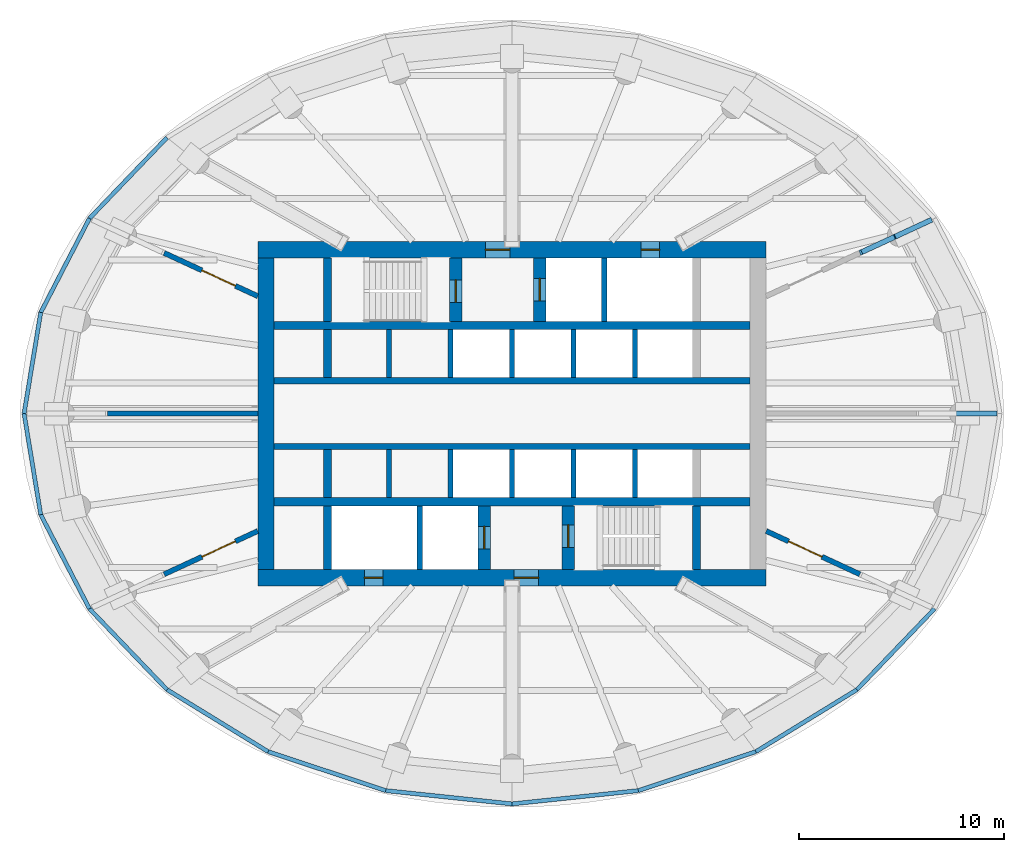
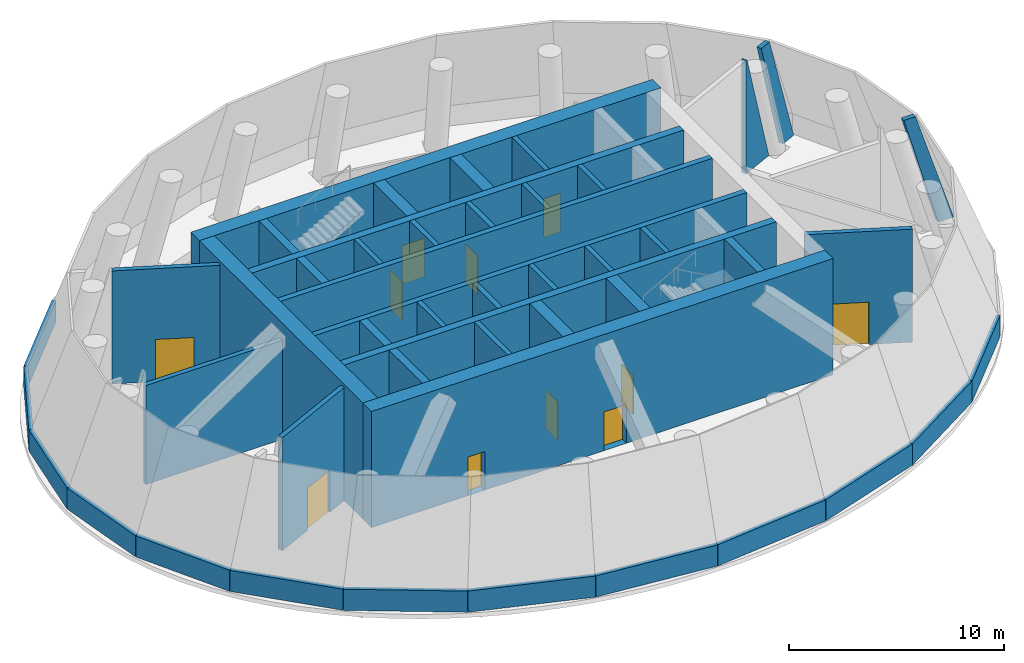
# One storey, part 4 of 6: 45 walls, 11 doors, 3 plates, 11 openings.
"""IFC4 building model written with IfcOpenShell, lengths in metres."""

from ifc_helpers import new_model, si_unit, direction, frame, frame_2d, origin, place, context, subcontext, project, spatial, polyline, rectangle, outline, extrude, material, layer, layer_set, type_object, element, fill, save


model = new_model("IFC4")

# Units and contexts
model_context = context("Model", 3, precision=1e-05, world=origin(), true_north=direction((0.0, 1.0)))
body_context = subcontext(model_context, "Body", "Model", "MODEL_VIEW")
ifc_project = project(units=[si_unit("LENGTHUNIT", "METRE"), si_unit("AREAUNIT", "SQUARE_METRE"), si_unit("VOLUMEUNIT", "CUBIC_METRE"), si_unit("PLANEANGLEUNIT", "RADIAN"), si_unit("MASSUNIT", "GRAM", prefix="KILO")], contexts=[model_context])

# Site, building, storey
site_placement = place(None, origin())
site = spatial("IfcSite", under=ifc_project, at=site_placement, CompositionType="ELEMENT")
building_placement = place(site_placement, origin())
building = spatial("IfcBuilding", under=site, at=building_placement, Name="Hankou Lantern Tower", CompositionType="ELEMENT")
storey_placement = place(building_placement, frame((0.0, 0.0, 186.300048828125)))
storey = spatial("IfcBuildingStorey", under=building, at=storey_placement, Name="L50", CompositionType="ELEMENT", Elevation=186.300048828125)

# Plates
ifc_material_1 = material(Name="Fire-rated calcium silicate board on steel studs", Category="steel")
ifc_layer_1 = layer(ifc_material_1, 0.25)
ifc_layer_set_1 = layer_set([ifc_layer_1], Name="Fire-rated calcium silicate board on steel studs")
plate_type = type_object("IfcPlateType", Name="FC1 FIRE CLOSURE PANEL", PredefinedType="USERDEFINED", material=ifc_layer_set_1)
plate_1_placement = place(storey_placement, frame((17.02099609375, 7.723876953125, 0.0), z_axis=(0.419358735179, -0.907820605185, 5.464504e-06), x_axis=(0.907820605199, 0.419358735185, -1.03e-10)))
element("IfcPlate", 1, at=plate_1_placement, inside=storey, type_object=plate_type, Name="Fire closure panel R03 inner L50", ObjectType="FIRE CLOSURE", PredefinedType="USERDEFINED", context=body_context, shape_type="SweptSolid", body=[
    extrude(outline(polyline([(0.0, 0.0), (1.857217642760021, 8.470329472543003e-22), (0.10005834103310021, 6.419921875106181), (-6.626714052594562e-10, 6.419921874904149), (0.0, 0.0)])), origin(), (0.0, 0.0, -1.0), 0.25),
])
plate_2_placement = place(storey_placement, frame((19.7421875, 8.98095703125, 0.0), z_axis=(0.419159396267, -0.907912660308, -4.2114252e-05), x_axis=(0.907912661113, 0.419159396639, 2.205e-09)))
element("IfcPlate", 2, at=plate_2_placement, inside=storey, type_object=plate_type, Name="Fire closure panel R03 outer L50", ObjectType="FIRE CLOSURE", PredefinedType="USERDEFINED", context=body_context, shape_type="SweptSolid", body=[
    extrude(outline(polyline([(0.0, 0.0), (0.8650407067405591, 0.0), (-1.092678533110866, 6.4199218831021), (-1.7571592599602899, 6.419921886474032), (0.0, 0.0)])), origin(), (0.0, 0.0, -1.0), 0.25),
])
plate_3_placement = place(storey_placement, frame((22.822265625, 0.125, 0.0), z_axis=(0.0, 1.0, 0.0), x_axis=(1.0, 0.0, 0.0)))
element("IfcPlate", 3, at=plate_3_placement, inside=storey, type_object=plate_type, Name="Fire closure panel R01 outer L50", ObjectType="FIRE CLOSURE", PredefinedType="USERDEFINED", context=body_context, shape_type="SweptSolid", body=[
    extrude(outline(polyline([(0.0, 0.0), (0.82763671875, 0.0), (-1.22216796875, -6.419921875), (-1.84814453125, -6.419921875), (0.0, 0.0)])), origin(), (0.0, 0.0, -1.0), 0.25),
])

# Wall, openings, doors
ifc_material_2 = material(Name="Concrete C60", Category="concrete")
ifc_layer_2 = layer(ifc_material_2, 0.800048828125)
ifc_layer_set_2 = layer_set([ifc_layer_2], Name="Concrete C60")
wall_type_1 = type_object("IfcWallType", Name="CW2 CORE WALL 800", PredefinedType="SHEAR", material=ifc_layer_set_2)
wall_1_placement = place(storey_placement, frame((-12.39990234375, 8.0, 0.0), z_axis=(0.0, 0.0, 1.0), x_axis=(1.0, 0.0, 0.0)))
wall_1 = element("IfcWall", 4, at=wall_1_placement, inside=storey, type_object=wall_type_1, Name="Core wall north L50", PredefinedType="SHEAR", context=body_context, shape_type="SweptSolid", body=[
    extrude(rectangle(XDim=24.7998046875, YDim=0.800048828125, at=frame_2d((12.39990234375, 0.0))), origin(), (0.0, 0.0, 1.0), 6.599853515625),
])
opening_1_placement = place(wall_1_placement, frame((11.10009765625, 0.0, 0.0)))
opening_1 = element("IfcOpeningElement", 5, at=opening_1_placement, cuts=wall_1, Name="Opening D5", PredefinedType="OPENING", context=body_context, shape_type="SweptSolid", body=[
    extrude(rectangle(XDim=1.199951171875, YDim=2.199951171875, at=frame_2d((0.60009765625, 1.10009765625))), frame((0.0, 0.409912109375, 0.0), z_axis=(0.0, -1.0, 0.0), x_axis=(1.0, 0.0, 0.0)), (0.0, 0.0, 1.0), 0.820068359375),
])
opening_2_placement = place(wall_1_placement, frame((18.699951171875, 0.0, 0.0)))
opening_2 = element("IfcOpeningElement", 6, at=opening_2_placement, cuts=wall_1, Name="Opening D7", PredefinedType="OPENING", context=body_context, shape_type="SweptSolid", body=[
    extrude(rectangle(XDim=0.89990234375, YDim=2.199951171875, at=frame_2d((0.449951171875, 1.10009765625))), frame((0.0, 0.409912109375, 0.0), z_axis=(0.0, -1.0, 0.0), x_axis=(1.0, 0.0, 0.0)), (0.0, 0.0, 1.0), 0.820068359375),
])
ifc_material_3 = material(Name="Steel door leaf", Category="steel")
door_type_1 = type_object("IfcDoorType", Name="D5 STAIR LOBBY DOOR 1200X2200", OperationType="SINGLE_SWING_LEFT", PredefinedType="DOOR", material=ifc_material_3)
door_1_placement = place(opening_1_placement, origin())
door_1 = element("IfcDoor", 7, at=door_1_placement, inside=storey, type_object=door_type_1, Name="Stair A lobby door", OperationType="SINGLE_SWING_LEFT", OverallHeight=2.199951171875, OverallWidth=1.199951171875, PredefinedType="DOOR", context=body_context, shape_type="SweptSolid", body=[
    extrude(rectangle(XDim=1.199951171875, YDim=2.199951171875, at=frame_2d((0.60009765625, 1.10009765625))), frame((0.0, 0.02490234375, 0.0), z_axis=(0.0, -1.0, 0.0), x_axis=(1.0, 0.0, 0.0)), (0.0, 0.0, 1.0), 0.050048828125),
])
fill(opening_1, door_1)
ifc_material_4 = material(Name="Steel door leaf", Category="steel")
door_type_2 = type_object("IfcDoorType", Name="D7 RISER DOOR 900X2200", OperationType="SINGLE_SWING_LEFT", PredefinedType="DOOR", material=ifc_material_4)
door_2_placement = place(opening_2_placement, origin())
door_2 = element("IfcDoor", 8, at=door_2_placement, inside=storey, type_object=door_type_2, Name="Riser N1 door", OperationType="SINGLE_SWING_RIGHT", OverallHeight=2.199951171875, OverallWidth=0.89990234375, PredefinedType="DOOR", context=body_context, shape_type="SweptSolid", body=[
    extrude(rectangle(XDim=0.89990234375, YDim=2.199951171875, at=frame_2d((0.449951171875, 1.10009765625))), frame((0.0, 0.02490234375, 0.0), z_axis=(0.0, -1.0, 0.0), x_axis=(1.0, 0.0, 0.0)), (0.0, 0.0, 1.0), 0.050048828125),
])
fill(opening_2, door_2)

wall_2_placement = place(storey_placement, frame((12.39990234375, -8.0, 0.0), z_axis=(0.0, 0.0, 1.0), x_axis=(-1.0, 0.0, 0.0)))
wall_2 = element("IfcWall", 9, at=wall_2_placement, inside=storey, type_object=wall_type_1, Name="Core wall south L50", PredefinedType="SHEAR", context=body_context, shape_type="SweptSolid", body=[
    extrude(rectangle(XDim=24.7998046875, YDim=0.800048828125, at=frame_2d((12.39990234375, 0.0))), origin(), (0.0, 0.0, 1.0), 6.599853515625),
])
opening_3_placement = place(wall_2_placement, frame((11.10009765625, 0.0, 0.0)))
opening_3 = element("IfcOpeningElement", 10, at=opening_3_placement, cuts=wall_2, Name="Opening D5", PredefinedType="OPENING", context=body_context, shape_type="SweptSolid", body=[
    extrude(rectangle(XDim=1.199951171875, YDim=2.199951171875, at=frame_2d((0.60009765625, 1.10009765625))), frame((0.0, 0.409912109375, 0.0), z_axis=(0.0, -1.0, 0.0), x_axis=(1.0, 0.0, 0.0)), (0.0, 0.0, 1.0), 0.820068359375),
])
opening_4_placement = place(wall_2_placement, frame((18.699951171875, 0.0, 0.0)))
opening_4 = element("IfcOpeningElement", 11, at=opening_4_placement, cuts=wall_2, Name="Opening D7", PredefinedType="OPENING", context=body_context, shape_type="SweptSolid", body=[
    extrude(rectangle(XDim=0.89990234375, YDim=2.199951171875, at=frame_2d((0.449951171875, 1.10009765625))), frame((0.0, 0.409912109375, 0.0), z_axis=(0.0, -1.0, 0.0), x_axis=(1.0, 0.0, 0.0)), (0.0, 0.0, 1.0), 0.820068359375),
])
door_3_placement = place(opening_3_placement, origin())
door_3 = element("IfcDoor", 12, at=door_3_placement, inside=storey, type_object=door_type_1, Name="Stair B lobby door", OperationType="SINGLE_SWING_LEFT", OverallHeight=2.199951171875, OverallWidth=1.199951171875, PredefinedType="DOOR", context=body_context, shape_type="SweptSolid", body=[
    extrude(rectangle(XDim=1.199951171875, YDim=2.199951171875, at=frame_2d((0.60009765625, 1.10009765625))), frame((0.0, 0.02490234375, 0.0), z_axis=(0.0, -1.0, 0.0), x_axis=(1.0, 0.0, 0.0)), (0.0, 0.0, 1.0), 0.050048828125),
])
fill(opening_3, door_3)
door_4_placement = place(opening_4_placement, origin())
door_4 = element("IfcDoor", 13, at=door_4_placement, inside=storey, type_object=door_type_2, Name="Riser S1 door", OperationType="SINGLE_SWING_RIGHT", OverallHeight=2.199951171875, OverallWidth=0.89990234375, PredefinedType="DOOR", context=body_context, shape_type="SweptSolid", body=[
    extrude(rectangle(XDim=0.89990234375, YDim=2.199951171875, at=frame_2d((0.449951171875, 1.10009765625))), frame((0.0, 0.02490234375, 0.0), z_axis=(0.0, -1.0, 0.0), x_axis=(1.0, 0.0, 0.0)), (0.0, 0.0, 1.0), 0.050048828125),
])
fill(opening_4, door_4)

# Walls
wall_3_placement = place(storey_placement, frame((-12.0, 7.60009765625, 0.0), z_axis=(0.0, 0.0, 1.0), x_axis=(0.0, -1.0, 0.0)))
element("IfcWall", 14, at=wall_3_placement, inside=storey, type_object=wall_type_1, Name="Core wall west L50", PredefinedType="SHEAR", context=body_context, shape_type="SweptSolid", body=[
    extrude(rectangle(XDim=15.2001953125, YDim=0.800048828125, at=frame_2d((7.60009765625, 0.0))), origin(), (0.0, 0.0, 1.0), 6.599853515625),
])
ifc_material_5 = material(Name="Concrete C60", Category="concrete")
ifc_layer_3 = layer(ifc_material_5, 0.39990234375)
ifc_layer_set_3 = layer_set([ifc_layer_3], Name="Concrete C60")
wall_type_2 = type_object("IfcWallType", Name="CW4 CORE CROSS WALL 400", PredefinedType="SHEAR", material=ifc_layer_set_3)
for number, where, z_axis, x_axis, name in (
    (15, (-11.60009765625, 4.300048828125, 0.0), (0.0, 0.0, 1.0), (1.0, 0.0, 0.0), "Core band wall north L50"),
    (16, (-11.60009765625, -4.300048828125, 0.0), (0.0, 0.0, 1.0), (1.0, 0.0, 0.0), "Core band wall south L50"),
):
    element("IfcWall", number, at=place(storey_placement, frame(where, z_axis=z_axis, x_axis=x_axis)), inside=storey, type_object=wall_type_2, Name=name, PredefinedType="SHEAR", context=body_context, shape_type="SweptSolid", body=[
        extrude(rectangle(XDim=23.2001953125, YDim=0.39990234375, at=frame_2d((11.60009765625, 0.0))), origin(), (0.0, 0.0, 1.0), 6.599853515625),
    ])
wall_4_placement = place(storey_placement, frame((-9.0, 4.5, 0.0), z_axis=(0.0, 0.0, 1.0), x_axis=(0.0, 1.0, 0.0)))
element("IfcWall", 17, at=wall_4_placement, inside=storey, type_object=wall_type_2, Name="Core strip wall L50", PredefinedType="SHEAR", context=body_context, shape_type="SweptSolid", body=[
    extrude(rectangle(XDim=3.10009765625, YDim=0.39990234375, at=frame_2d((1.550048828125, 0.0))), origin(), (0.0, 0.0, 1.0), 6.599853515625),
])
for number, where, z_axis, x_axis, name in (
    (18, (-9.0, 1.75, 0.0), (0.0, 0.0, 1.0), (0.0, 1.0, 0.0), "Core strip wall L50"),
    (19, (-9.0, -4.10009765625, 0.0), (0.0, 0.0, 1.0), (0.0, 1.0, 0.0), "Core strip wall L50"),
):
    element("IfcWall", number, at=place(storey_placement, frame(where, z_axis=z_axis, x_axis=x_axis)), inside=storey, type_object=wall_type_2, Name=name, PredefinedType="SHEAR", context=body_context, shape_type="SweptSolid", body=[
        extrude(rectangle(XDim=2.35009765625, YDim=0.39990234375, at=frame_2d((1.175048828125, 0.0))), origin(), (0.0, 0.0, 1.0), 6.599853515625),
    ])
for number, where, z_axis, x_axis, name in (
    (20, (-9.0, -7.60009765625, 0.0), (0.0, 0.0, 1.0), (0.0, 1.0, 0.0), "Core strip wall L50"),
    (21, (9.0, -7.60009765625, 0.0), (0.0, 0.0, 1.0), (0.0, 1.0, 0.0), "Core strip wall L50"),
):
    element("IfcWall", number, at=place(storey_placement, frame(where, z_axis=z_axis, x_axis=x_axis)), inside=storey, type_object=wall_type_2, Name=name, PredefinedType="SHEAR", context=body_context, shape_type="SweptSolid", body=[
        extrude(rectangle(XDim=3.10009765625, YDim=0.39990234375, at=frame_2d((1.550048828125, 0.0))), origin(), (0.0, 0.0, 1.0), 6.599853515625),
    ])
ifc_material_6 = material(Name="Concrete C60", Category="concrete")
ifc_layer_4 = layer(ifc_material_6, 0.300048828125)
ifc_layer_set_4 = layer_set([ifc_layer_4], Name="Concrete C60")
wall_type_3 = type_object("IfcWallType", Name="CW5 LIFT LOBBY WALL 300", PredefinedType="SHEAR", material=ifc_layer_set_4)
for number, where, z_axis, x_axis, name in (
    (22, (-11.60009765625, 1.60009765625, 0.0), (0.0, 0.0, 1.0), (1.0, 0.0, 0.0), "Lift lobby wall north L50"),
    (23, (-11.60009765625, -1.60009765625, 0.0), (0.0, 0.0, 1.0), (1.0, 0.0, 0.0), "Lift lobby wall south L50"),
):
    element("IfcWall", number, at=place(storey_placement, frame(where, z_axis=z_axis, x_axis=x_axis)), inside=storey, type_object=wall_type_3, Name=name, PredefinedType="SHEAR", context=body_context, shape_type="SweptSolid", body=[
        extrude(rectangle(XDim=23.2001953125, YDim=0.300048828125, at=frame_2d((11.60009765625, 0.0))), origin(), (0.0, 0.0, 1.0), 6.599853515625),
    ])

# Wall, opening, door
ifc_material_7 = material(Name="Concrete C60", Category="concrete")
ifc_layer_5 = layer(ifc_material_7, 0.60009765625)
ifc_layer_set_5 = layer_set([ifc_layer_5], Name="Concrete C60")
wall_type_4 = type_object("IfcWallType", Name="CW6 STAIR AND SHAFT WALL 600", PredefinedType="SHEAR", material=ifc_layer_set_5)
wall_5_placement = place(storey_placement, frame((-2.75, 4.5, 0.0), z_axis=(0.0, 0.0, 1.0), x_axis=(0.0, 1.0, 0.0)))
wall_5 = element("IfcWall", 24, at=wall_5_placement, inside=storey, type_object=wall_type_4, Name="Stair wall L50", PredefinedType="SHEAR", context=body_context, shape_type="SweptSolid", body=[
    extrude(rectangle(XDim=3.10009765625, YDim=0.60009765625, at=frame_2d((1.550048828125, 0.0))), origin(), (0.0, 0.0, 1.0), 6.599853515625),
])
opening_5_placement = place(wall_5_placement, frame((0.925048828125, 0.0, 0.0)))
opening_5 = element("IfcOpeningElement", 25, at=opening_5_placement, cuts=wall_5, Name="Opening D4", PredefinedType="OPENING", context=body_context, shape_type="SweptSolid", body=[
    extrude(rectangle(XDim=1.10009765625, YDim=2.199951171875, at=frame_2d((0.550048828125, 1.10009765625))), frame((0.0, 0.31005859375, 0.0), z_axis=(0.0, -1.0, 0.0), x_axis=(1.0, 0.0, 0.0)), (0.0, 0.0, 1.0), 0.6201171875),
])
ifc_material_8 = material(Name="Steel door leaf", Category="steel")
door_type_3 = type_object("IfcDoorType", Name="D4 STAIR DOOR 1100X2200", OperationType="SINGLE_SWING_LEFT", PredefinedType="DOOR", material=ifc_material_8)
door_5_placement = place(opening_5_placement, origin())
door_5 = element("IfcDoor", 26, at=door_5_placement, inside=storey, type_object=door_type_3, Name="Stair A door", OperationType="SINGLE_SWING_LEFT", OverallHeight=2.199951171875, OverallWidth=1.10009765625, PredefinedType="DOOR", context=body_context, shape_type="SweptSolid", body=[
    extrude(rectangle(XDim=1.10009765625, YDim=2.199951171875, at=frame_2d((0.550048828125, 1.10009765625))), frame((0.0, 0.02490234375, 0.0), z_axis=(0.0, -1.0, 0.0), x_axis=(1.0, 0.0, 0.0)), (0.0, 0.0, 1.0), 0.050048828125),
])
fill(opening_5, door_5)

wall_6_placement = place(storey_placement, frame((1.35009765625, 4.5, 0.0), z_axis=(0.0, 0.0, 1.0), x_axis=(0.0, 1.0, 0.0)))
wall_6 = element("IfcWall", 27, at=wall_6_placement, inside=storey, type_object=wall_type_4, Name="Firefighting lift shaft wall L50", PredefinedType="SHEAR", context=body_context, shape_type="SweptSolid", body=[
    extrude(rectangle(XDim=3.10009765625, YDim=0.60009765625, at=frame_2d((1.550048828125, 0.0))), origin(), (0.0, 0.0, 1.0), 6.599853515625),
])
opening_6_placement = place(wall_6_placement, frame((1.0, 0.0, 0.0)))
opening_6 = element("IfcOpeningElement", 28, at=opening_6_placement, cuts=wall_6, Name="Opening LD2", PredefinedType="OPENING", context=body_context, shape_type="SweptSolid", body=[
    extrude(rectangle(XDim=1.10009765625, YDim=2.199951171875, at=frame_2d((0.550048828125, 1.10009765625))), frame((0.0, 0.31005859375, 0.0), z_axis=(0.0, -1.0, 0.0), x_axis=(1.0, 0.0, 0.0)), (0.0, 0.0, 1.0), 0.6201171875),
])
ifc_material_9 = material(Name="Steel door leaf", Category="steel")
door_type_4 = type_object("IfcDoorType", Name="LD2 FIREFIGHTING LIFT LANDING DOOR 1100X2200", OperationType="DOUBLE_DOOR_SLIDING", PredefinedType="DOOR", material=ifc_material_9)
door_6_placement = place(opening_6_placement, origin())
door_6 = element("IfcDoor", 29, at=door_6_placement, inside=storey, type_object=door_type_4, Name="Firefighting lift FL1 landing door", OperationType="DOUBLE_DOOR_SLIDING", OverallHeight=2.199951171875, OverallWidth=1.10009765625, PredefinedType="DOOR", context=body_context, shape_type="SweptSolid", body=[
    extrude(rectangle(XDim=1.10009765625, YDim=2.199951171875, at=frame_2d((0.550048828125, 1.10009765625))), frame((0.0, 0.02490234375, 0.0), z_axis=(0.0, -1.0, 0.0), x_axis=(1.0, 0.0, 0.0)), (0.0, 0.0, 1.0), 0.050048828125),
])
fill(opening_6, door_6)

wall_7_placement = place(storey_placement, frame((2.75, -7.60009765625, 0.0), z_axis=(0.0, 0.0, 1.0), x_axis=(0.0, 1.0, 0.0)))
wall_7 = element("IfcWall", 30, at=wall_7_placement, inside=storey, type_object=wall_type_4, Name="Stair wall L50", PredefinedType="SHEAR", context=body_context, shape_type="SweptSolid", body=[
    extrude(rectangle(XDim=3.10009765625, YDim=0.60009765625, at=frame_2d((1.550048828125, 0.0))), origin(), (0.0, 0.0, 1.0), 6.599853515625),
])
opening_7_placement = place(wall_7_placement, frame((1.074951171875, 0.0, 0.0)))
opening_7 = element("IfcOpeningElement", 31, at=opening_7_placement, cuts=wall_7, Name="Opening D4", PredefinedType="OPENING", context=body_context, shape_type="SweptSolid", body=[
    extrude(rectangle(XDim=1.10009765625, YDim=2.199951171875, at=frame_2d((0.550048828125, 1.10009765625))), frame((0.0, 0.31005859375, 0.0), z_axis=(0.0, -1.0, 0.0), x_axis=(1.0, 0.0, 0.0)), (0.0, 0.0, 1.0), 0.6201171875),
])
door_7_placement = place(opening_7_placement, origin())
door_7 = element("IfcDoor", 32, at=door_7_placement, inside=storey, type_object=door_type_3, Name="Stair B door", OperationType="SINGLE_SWING_RIGHT", OverallHeight=2.199951171875, OverallWidth=1.10009765625, PredefinedType="DOOR", context=body_context, shape_type="SweptSolid", body=[
    extrude(rectangle(XDim=1.10009765625, YDim=2.199951171875, at=frame_2d((0.550048828125, 1.10009765625))), frame((0.0, 0.02490234375, 0.0), z_axis=(0.0, -1.0, 0.0), x_axis=(1.0, 0.0, 0.0)), (0.0, 0.0, 1.0), 0.050048828125),
])
fill(opening_7, door_7)

wall_8_placement = place(storey_placement, frame((-1.35009765625, -7.60009765625, 0.0), z_axis=(0.0, 0.0, 1.0), x_axis=(0.0, 1.0, 0.0)))
wall_8 = element("IfcWall", 33, at=wall_8_placement, inside=storey, type_object=wall_type_4, Name="Firefighting lift shaft wall L50", PredefinedType="SHEAR", context=body_context, shape_type="SweptSolid", body=[
    extrude(rectangle(XDim=3.10009765625, YDim=0.60009765625, at=frame_2d((1.550048828125, 0.0))), origin(), (0.0, 0.0, 1.0), 6.599853515625),
])
opening_8_placement = place(wall_8_placement, frame((1.0, 0.0, 0.0)))
opening_8 = element("IfcOpeningElement", 34, at=opening_8_placement, cuts=wall_8, Name="Opening LD2", PredefinedType="OPENING", context=body_context, shape_type="SweptSolid", body=[
    extrude(rectangle(XDim=1.10009765625, YDim=2.199951171875, at=frame_2d((0.550048828125, 1.10009765625))), frame((0.0, 0.31005859375, 0.0), z_axis=(0.0, -1.0, 0.0), x_axis=(1.0, 0.0, 0.0)), (0.0, 0.0, 1.0), 0.6201171875),
])
door_8_placement = place(opening_8_placement, origin())
door_8 = element("IfcDoor", 35, at=door_8_placement, inside=storey, type_object=door_type_4, Name="Firefighting lift FL2 landing door", OperationType="DOUBLE_DOOR_SLIDING", OverallHeight=2.199951171875, OverallWidth=1.10009765625, PredefinedType="DOOR", context=body_context, shape_type="SweptSolid", body=[
    extrude(rectangle(XDim=1.10009765625, YDim=2.199951171875, at=frame_2d((0.550048828125, 1.10009765625))), frame((0.0, 0.02490234375, 0.0), z_axis=(0.0, -1.0, 0.0), x_axis=(1.0, 0.0, 0.0)), (0.0, 0.0, 1.0), 0.050048828125),
])
fill(opening_8, door_8)

# Walls
ifc_material_10 = material(Name="Precast concrete C40 spandrel", Category="concrete")
ifc_layer_6 = layer(ifc_material_10, 0.199951171875)
ifc_layer_set_6 = layer_set([ifc_layer_6], Name="Precast concrete C40 spandrel")
wall_type_5 = type_object("IfcWallType", Name="EW3 SPANDREL WALL 200", PredefinedType="PARAPET", material=ifc_layer_set_6)
wall_9_placement = place(storey_placement, frame((-16.8291015625, 13.46337890625, 0.0), z_axis=(0.0, 0.0, 1.0), x_axis=(-0.692208086263, -0.721697973749, 0.0)))
element("IfcWall", 36, at=wall_9_placement, inside=storey, type_object=wall_type_5, Name="Spandrel wall R10 L50", PredefinedType="PARAPET", context=body_context, shape_type="SweptSolid", body=[
    extrude(rectangle(XDim=5.464111328125, YDim=0.199951171875, at=frame_2d((2.73193359375, 0.0))), origin(), (0.0, 0.0, 1.0), 1.199951171875),
])
wall_10_placement = place(storey_placement, frame((-20.611328125, 9.52001953125, 0.0), z_axis=(0.0, 0.0, 1.0), x_axis=(-0.459803057425, -0.888020916636, 0.0)))
element("IfcWall", 37, at=wall_10_placement, inside=storey, type_object=wall_type_5, Name="Spandrel wall R11 L50", PredefinedType="PARAPET", context=body_context, shape_type="SweptSolid", body=[
    extrude(rectangle(XDim=5.171142578125, YDim=0.199951171875, at=frame_2d((2.58544921875, 0.0))), origin(), (0.0, 0.0, 1.0), 1.199951171875),
])
for number, where, z_axis, x_axis, name in (
    (38, (-22.989013671875, 4.927978515625, 0.0), (0.0, 0.0, 1.0), (-0.162393077001, -0.98672614668, 0.0), "Spandrel wall R12 L50"),
    (39, (-23.800048828125, 0.0, 0.0), (0.0, 0.0, 1.0), (0.162393077001, -0.98672614668, 0.0), "Spandrel wall R13 L50"),
):
    element("IfcWall", number, at=place(storey_placement, frame(where, z_axis=z_axis, x_axis=x_axis)), inside=storey, type_object=wall_type_5, Name=name, PredefinedType="PARAPET", context=body_context, shape_type="SweptSolid", body=[
        extrude(rectangle(XDim=4.994384765625, YDim=0.199951171875, at=frame_2d((2.4970703125, 0.0))), origin(), (0.0, 0.0, 1.0), 1.199951171875),
    ])
wall_11_placement = place(storey_placement, frame((-22.989013671875, -4.927978515625, 0.0), z_axis=(0.0, 0.0, 1.0), x_axis=(0.459803057425, -0.888020916636, 0.0)))
element("IfcWall", 40, at=wall_11_placement, inside=storey, type_object=wall_type_5, Name="Spandrel wall R14 L50", PredefinedType="PARAPET", context=body_context, shape_type="SweptSolid", body=[
    extrude(rectangle(XDim=5.171142578125, YDim=0.199951171875, at=frame_2d((2.58544921875, 0.0))), origin(), (0.0, 0.0, 1.0), 1.199951171875),
])
wall_12_placement = place(storey_placement, frame((-20.611328125, -9.52001953125, 0.0), z_axis=(0.0, 0.0, 1.0), x_axis=(0.692208086263, -0.721697973749, 0.0)))
element("IfcWall", 41, at=wall_12_placement, inside=storey, type_object=wall_type_5, Name="Spandrel wall R15 L50", PredefinedType="PARAPET", context=body_context, shape_type="SweptSolid", body=[
    extrude(rectangle(XDim=5.464111328125, YDim=0.199951171875, at=frame_2d((2.73193359375, 0.0))), origin(), (0.0, 0.0, 1.0), 1.199951171875),
])
wall_13_placement = place(storey_placement, frame((-16.8291015625, -13.46337890625, 0.0), z_axis=(0.0, 0.0, 1.0), x_axis=(0.852253440193, -0.523129117598, 0.0)))
element("IfcWall", 42, at=wall_13_placement, inside=storey, type_object=wall_type_5, Name="Spandrel wall R16 L50", PredefinedType="PARAPET", context=body_context, shape_type="SweptSolid", body=[
    extrude(rectangle(XDim=5.78369140625, YDim=0.199951171875, at=frame_2d((2.891845703125, 0.0))), origin(), (0.0, 0.0, 1.0), 1.199951171875),
])
wall_14_placement = place(storey_placement, frame((-11.89990234375, -16.489013671875, 0.0), z_axis=(0.0, 0.0, 1.0), x_axis=(0.949238990188, -0.314555781232, 0.0)))
element("IfcWall", 43, at=wall_14_placement, inside=storey, type_object=wall_type_5, Name="Spandrel wall R17 L50", PredefinedType="PARAPET", context=body_context, shape_type="SweptSolid", body=[
    extrude(rectangle(XDim=6.046875, YDim=0.199951171875, at=frame_2d((3.0234375, 0.0))), origin(), (0.0, 0.0, 1.0), 1.199951171875),
])
for number, where, z_axis, x_axis, name in (
    (44, (-6.159912109375, -18.39111328125, 0.0), (0.0, 0.0, 1.0), (0.994496810484, -0.104766855149, 0.0), "Spandrel wall R18 L50"),
    (45, (0.0, -19.0400390625, 0.0), (0.0, 0.0, 1.0), (0.994496810484, 0.104766855149, 0.0), "Spandrel wall R19 L50"),
):
    element("IfcWall", number, at=place(storey_placement, frame(where, z_axis=z_axis, x_axis=x_axis)), inside=storey, type_object=wall_type_5, Name=name, PredefinedType="PARAPET", context=body_context, shape_type="SweptSolid", body=[
        extrude(rectangle(XDim=6.194091796875, YDim=0.199951171875, at=frame_2d((3.09716796875, 0.0))), origin(), (0.0, 0.0, 1.0), 1.199951171875),
    ])
wall_15_placement = place(storey_placement, frame((6.159912109375, -18.39111328125, 0.0), z_axis=(0.0, 0.0, 1.0), x_axis=(0.949238990188, 0.314555781232, 0.0)))
element("IfcWall", 46, at=wall_15_placement, inside=storey, type_object=wall_type_5, Name="Spandrel wall R20 L50", PredefinedType="PARAPET", context=body_context, shape_type="SweptSolid", body=[
    extrude(rectangle(XDim=6.046875, YDim=0.199951171875, at=frame_2d((3.0234375, 0.0))), origin(), (0.0, 0.0, 1.0), 1.199951171875),
])
wall_16_placement = place(storey_placement, frame((11.89990234375, -16.489013671875, 0.0), z_axis=(0.0, 0.0, 1.0), x_axis=(0.852253440193, 0.523129117598, 0.0)))
element("IfcWall", 47, at=wall_16_placement, inside=storey, type_object=wall_type_5, Name="Spandrel wall R21 L50", PredefinedType="PARAPET", context=body_context, shape_type="SweptSolid", body=[
    extrude(rectangle(XDim=5.78369140625, YDim=0.199951171875, at=frame_2d((2.891845703125, 0.0))), origin(), (0.0, 0.0, 1.0), 1.199951171875),
])
wall_17_placement = place(storey_placement, frame((16.8291015625, -13.46337890625, 0.0), z_axis=(0.0, 0.0, 1.0), x_axis=(0.692208086263, 0.721697973749, 0.0)))
element("IfcWall", 48, at=wall_17_placement, inside=storey, type_object=wall_type_5, Name="Spandrel wall R22 L50", PredefinedType="PARAPET", context=body_context, shape_type="SweptSolid", body=[
    extrude(rectangle(XDim=5.464111328125, YDim=0.199951171875, at=frame_2d((2.73193359375, 0.0))), origin(), (0.0, 0.0, 1.0), 1.199951171875),
])

# Wall, opening, door
ifc_material_11 = material(Name="Masonry dense concrete block", Category="masonry")
ifc_layer_7 = layer(ifc_material_11, 0.25)
ifc_layer_set_7 = layer_set([ifc_layer_7], Name="Masonry dense concrete block")
wall_type_6 = type_object("IfcWallType", Name="IW5 PLANT ROOM FIRE WALL 250", PredefinedType="PARTITIONING", material=ifc_layer_set_7)
wall_18_placement = place(storey_placement, frame((-12.39990234375, 5.727294921875, 0.0), z_axis=(0.0, 0.0, 1.0), x_axis=(-0.90784433639, 0.41930735849, 0.0)))
wall_18 = element("IfcWall", 49, at=wall_18_placement, inside=storey, type_object=wall_type_6, Name="Plant room fire wall R11", PredefinedType="PARTITIONING", context=body_context, shape_type="SweptSolid", body=[
    extrude(rectangle(XDim=5.032470703125, YDim=0.25, at=frame_2d((2.51611328125, 0.0))), origin(), (0.0, 0.0, 1.0), 6.419921875),
])
opening_9_placement = place(wall_18_placement, frame((1.199951171875, 0.0, 0.0)))
opening_9 = element("IfcOpeningElement", 50, at=opening_9_placement, cuts=wall_18, Name="Opening D9", PredefinedType="OPENING", context=body_context, shape_type="SweptSolid", body=[
    extrude(rectangle(XDim=1.800048828125, YDim=2.39990234375, at=frame_2d((0.89990234375, 1.199951171875))), frame((0.0, 0.135009765625, 0.0), z_axis=(0.0, -1.0, 0.0), x_axis=(1.0, 0.0, 0.0)), (0.0, 0.0, 1.0), 0.27001953125),
])
ifc_material_12 = material(Name="Steel door leaf", Category="steel")
door_type_5 = type_object("IfcDoorType", Name="D9 PLANT ROOM DOOR 1800X2400", OperationType="DOUBLE_DOOR_DOUBLE_SWING", PredefinedType="DOOR", material=ifc_material_12)
door_9_placement = place(opening_9_placement, origin())
door_9 = element("IfcDoor", 51, at=door_9_placement, inside=storey, type_object=door_type_5, Name="Plant room door R11", OperationType="DOUBLE_DOOR_DOUBLE_SWING", OverallHeight=2.39990234375, OverallWidth=1.800048828125, PredefinedType="DOOR", context=body_context, shape_type="SweptSolid", body=[
    extrude(rectangle(XDim=1.800048828125, YDim=2.39990234375, at=frame_2d((0.89990234375, 1.199951171875))), frame((0.0, 0.02490234375, 0.0), z_axis=(0.0, -1.0, 0.0), x_axis=(1.0, 0.0, 0.0)), (0.0, 0.0, 1.0), 0.050048828125),
])
fill(opening_9, door_9)

wall_19_placement = place(storey_placement, frame((-12.39990234375, -5.727294921875, 0.0), z_axis=(0.0, 0.0, 1.0), x_axis=(-0.90784433639, -0.41930735849, 0.0)))
wall_19 = element("IfcWall", 52, at=wall_19_placement, inside=storey, type_object=wall_type_6, Name="Plant room fire wall R15", PredefinedType="PARTITIONING", context=body_context, shape_type="SweptSolid", body=[
    extrude(rectangle(XDim=5.032470703125, YDim=0.25, at=frame_2d((2.51611328125, 0.0))), origin(), (0.0, 0.0, 1.0), 6.419921875),
])
opening_10_placement = place(wall_19_placement, frame((1.199951171875, 0.0, 0.0)))
opening_10 = element("IfcOpeningElement", 53, at=opening_10_placement, cuts=wall_19, Name="Opening D9", PredefinedType="OPENING", context=body_context, shape_type="SweptSolid", body=[
    extrude(rectangle(XDim=1.800048828125, YDim=2.39990234375, at=frame_2d((0.89990234375, 1.199951171875))), frame((0.0, 0.135009765625, 0.0), z_axis=(0.0, -1.0, 0.0), x_axis=(1.0, 0.0, 0.0)), (0.0, 0.0, 1.0), 0.27001953125),
])
door_10_placement = place(opening_10_placement, origin())
door_10 = element("IfcDoor", 54, at=door_10_placement, inside=storey, type_object=door_type_5, Name="Plant room door R15", OperationType="DOUBLE_DOOR_DOUBLE_SWING", OverallHeight=2.39990234375, OverallWidth=1.800048828125, PredefinedType="DOOR", context=body_context, shape_type="SweptSolid", body=[
    extrude(rectangle(XDim=1.800048828125, YDim=2.39990234375, at=frame_2d((0.89990234375, 1.199951171875))), frame((0.0, 0.02490234375, 0.0), z_axis=(0.0, -1.0, 0.0), x_axis=(1.0, 0.0, 0.0)), (0.0, 0.0, 1.0), 0.050048828125),
])
fill(opening_10, door_10)

wall_20_placement = place(storey_placement, frame((12.39990234375, -5.727294921875, 0.0), z_axis=(0.0, 0.0, 1.0), x_axis=(0.90784433639, -0.41930735849, 0.0)))
wall_20 = element("IfcWall", 55, at=wall_20_placement, inside=storey, type_object=wall_type_6, Name="Plant room fire wall R23", PredefinedType="PARTITIONING", context=body_context, shape_type="SweptSolid", body=[
    extrude(rectangle(XDim=5.032470703125, YDim=0.25, at=frame_2d((2.51611328125, 0.0))), origin(), (0.0, 0.0, 1.0), 6.419921875),
])
opening_11_placement = place(wall_20_placement, frame((1.199951171875, 0.0, 0.0)))
opening_11 = element("IfcOpeningElement", 56, at=opening_11_placement, cuts=wall_20, Name="Opening D9", PredefinedType="OPENING", context=body_context, shape_type="SweptSolid", body=[
    extrude(rectangle(XDim=1.800048828125, YDim=2.39990234375, at=frame_2d((0.89990234375, 1.199951171875))), frame((0.0, 0.135009765625, 0.0), z_axis=(0.0, -1.0, 0.0), x_axis=(1.0, 0.0, 0.0)), (0.0, 0.0, 1.0), 0.27001953125),
])
door_11_placement = place(opening_11_placement, origin())
door_11 = element("IfcDoor", 57, at=door_11_placement, inside=storey, type_object=door_type_5, Name="Plant room door R23", OperationType="DOUBLE_DOOR_DOUBLE_SWING", OverallHeight=2.39990234375, OverallWidth=1.800048828125, PredefinedType="DOOR", context=body_context, shape_type="SweptSolid", body=[
    extrude(rectangle(XDim=1.800048828125, YDim=2.39990234375, at=frame_2d((0.89990234375, 1.199951171875))), frame((0.0, 0.02490234375, 0.0), z_axis=(0.0, -1.0, 0.0), x_axis=(1.0, 0.0, 0.0)), (0.0, 0.0, 1.0), 0.050048828125),
])
fill(opening_11, door_11)

# Walls
wall_21_placement = place(storey_placement, frame((-12.39990234375, 0.0, 0.0), z_axis=(0.0, 0.0, 1.0), x_axis=(-1.0, 0.0, 0.0)))
element("IfcWall", 58, at=wall_21_placement, inside=storey, type_object=wall_type_6, Name="Plant room partition R13", PredefinedType="PARTITIONING", context=body_context, shape_type="SweptSolid", body=[
    extrude(rectangle(XDim=7.32958984375, YDim=0.25, at=frame_2d((3.664794921875, 0.0))), origin(), (0.0, 0.0, 1.0), 5.619873046875),
])
ifc_material_13 = material(Name="Masonry autoclaved aerated concrete block", Category="masonry")
ifc_layer_8 = layer(ifc_material_13, 0.25)
ifc_layer_set_8 = layer_set([ifc_layer_8], Name="Masonry autoclaved aerated concrete block")
wall_type_7 = type_object("IfcWallType", Name="SW1 SHAFT BLOCK WALL 250", PredefinedType="PARTITIONING", material=ifc_layer_set_8)
for number, where, z_axis, x_axis, name in (
    (59, (4.5, 4.5, 0.0), (0.0, 0.0, 1.0), (0.0, 1.0, 0.0), "Riser wall L50"),
    (60, (-4.5, -7.60009765625, 0.0), (0.0, 0.0, 1.0), (0.0, 1.0, 0.0), "Riser wall L50"),
):
    element("IfcWall", number, at=place(storey_placement, frame(where, z_axis=z_axis, x_axis=x_axis)), inside=storey, type_object=wall_type_7, Name=name, PredefinedType="PARTITIONING", context=body_context, shape_type="SweptSolid", body=[
        extrude(rectangle(XDim=3.10009765625, YDim=0.25, at=frame_2d((1.550048828125, 0.0))), origin(), (0.0, 0.0, 1.0), 6.599853515625),
    ])
for number, where, z_axis, x_axis, name in (
    (61, (-6.0, 1.75, 0.0), (0.0, 0.0, 1.0), (0.0, 1.0, 0.0), "Lift shaft wall L50"),
    (62, (-3.0, 1.75, 0.0), (0.0, 0.0, 1.0), (0.0, 1.0, 0.0), "Lift shaft wall L50"),
    (63, (0.0, 1.75, 0.0), (0.0, 0.0, 1.0), (0.0, 1.0, 0.0), "Lift shaft wall L50"),
    (64, (3.0, 1.75, 0.0), (0.0, 0.0, 1.0), (0.0, 1.0, 0.0), "Lift shaft wall L50"),
    (65, (6.0, 1.75, 0.0), (0.0, 0.0, 1.0), (0.0, 1.0, 0.0), "Lift shaft wall L50"),
    (66, (-6.0, -4.10009765625, 0.0), (0.0, 0.0, 1.0), (0.0, 1.0, 0.0), "Lift shaft wall L50"),
    (67, (-3.0, -4.10009765625, 0.0), (0.0, 0.0, 1.0), (0.0, 1.0, 0.0), "Lift shaft wall L50"),
    (68, (0.0, -4.10009765625, 0.0), (0.0, 0.0, 1.0), (0.0, 1.0, 0.0), "Lift shaft wall L50"),
    (69, (3.0, -4.10009765625, 0.0), (0.0, 0.0, 1.0), (0.0, 1.0, 0.0), "Lift shaft wall L50"),
    (70, (6.0, -4.10009765625, 0.0), (0.0, 0.0, 1.0), (0.0, 1.0, 0.0), "Lift shaft wall L50"),
):
    element("IfcWall", number, at=place(storey_placement, frame(where, z_axis=z_axis, x_axis=x_axis)), inside=storey, type_object=wall_type_7, Name=name, PredefinedType="PARTITIONING", context=body_context, shape_type="SweptSolid", body=[
        extrude(rectangle(XDim=2.35009765625, YDim=0.25, at=frame_2d((1.175048828125, 0.0))), origin(), (0.0, 0.0, 1.0), 6.599853515625),
    ])

save(model, "model.ifc")
